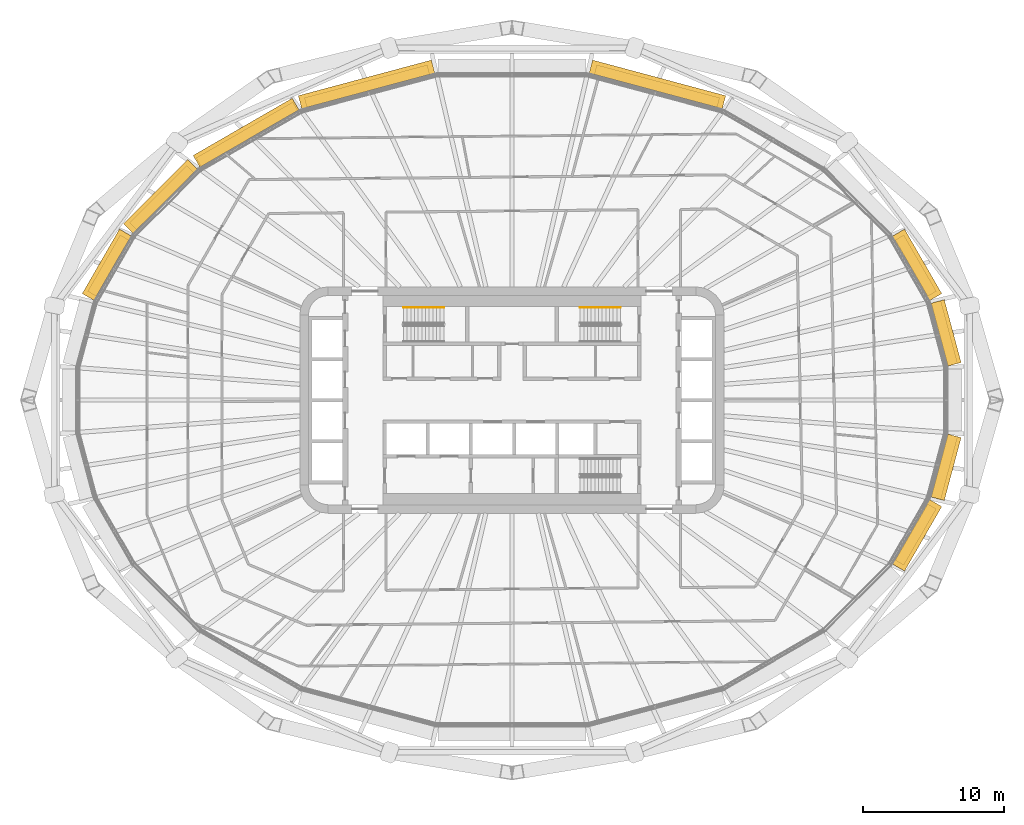
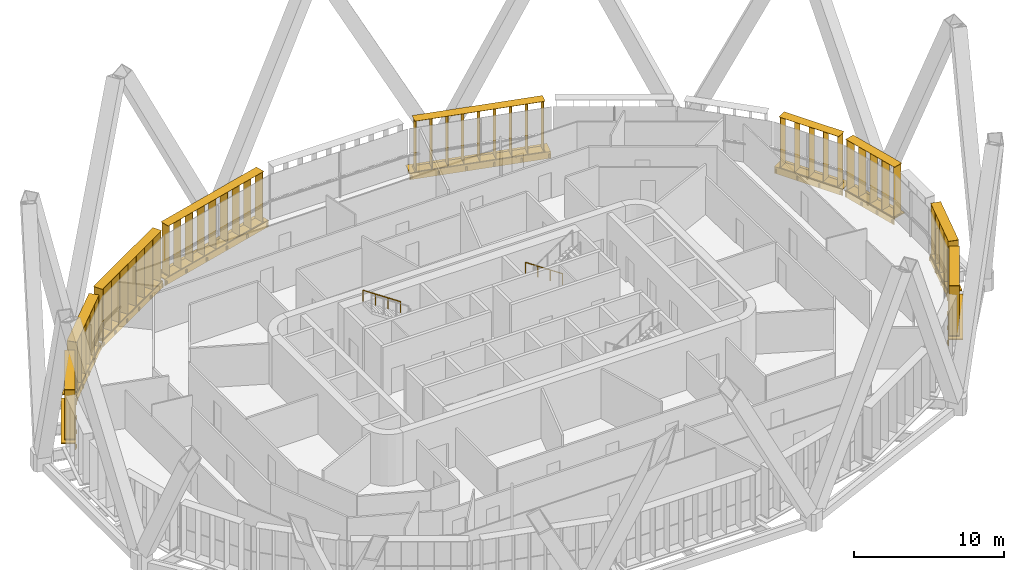
# One storey, part 24 of 25: 18 shading devices, 2 railings.
"""IFC4 building model written with IfcOpenShell, lengths in metres."""

import ifcopenshell
import ifcopenshell.guid

model = None  # the IFC model being written
_history = None  # IfcOwnerHistory: only IFC2X3 demands one
_inside = {}  # id of a spatial element -> (the spatial element, [elements in it])
_under = {}  # id of a project, library or spatial element -> (it, [spatial elements below it])
_declared = {}  # id of a project -> (the project, [libraries it declares])
_typed = {}  # id of a type object -> (the type object, [elements of that type])
_made_of = {}  # id of a material, layer set ... -> (it, [elements and type objects made of it])


def new_model(schema):
    """Start an empty IFC model of exactly this schema.

    Asked for "IFC4X3", IfcOpenShell would pick the latest addendum, in which some entities
    have other attributes; the version numbers below select the first issue.
    IFC2X3 requires an IfcOwnerHistory on every rooted entity: one is made here for all.
    """
    global model, _history
    if schema == "IFC4X3":
        model = ifcopenshell.file(schema_version=(4, 3, 0, 0))
    else:
        model = ifcopenshell.file(schema=schema)
    _inside.clear()
    _under.clear()
    _declared.clear()
    _typed.clear()
    _made_of.clear()
    _history = None
    if model.schema == "IFC2X3":
        org = make("IfcOrganization", Name="unknown")
        user = make(
            "IfcPersonAndOrganization",
            ThePerson=make("IfcPerson", FamilyName="unknown"),
            TheOrganization=org,
        )
        app = make(
            "IfcApplication",
            ApplicationDeveloper=org,
            Version="unknown",
            ApplicationFullName="unknown",
            ApplicationIdentifier="unknown",
        )
        _history = make(
            "IfcOwnerHistory",
            OwningUser=user,
            OwningApplication=app,
            ChangeAction="ADDED",
            CreationDate=0,
        )
    return model


def make(cls, **values):
    """One entity of the class cls with the attributes given. An attribute that is None is left unset."""
    return model.create_entity(
        cls, **{name: value for name, value in values.items() if value is not None}
    )


def rooted(cls, **values):
    """An entity with a GlobalId (a new one), such as an element, a storey or a relation."""
    return make(cls, GlobalId=ifcopenshell.guid.new(), OwnerHistory=_history, **values)


def si_unit(unit_type, name, prefix=None):
    """IfcSIUnit, for example si_unit("LENGTHUNIT", "METRE", prefix="MILLI")."""
    return make("IfcSIUnit", UnitType=unit_type, Prefix=prefix, Name=name)


def assignment(units):
    """IfcUnitAssignment: the units of a project."""
    return None if units is None else make("IfcUnitAssignment", Units=units)


def point(xyz):
    """IfcCartesianPoint."""
    return None if xyz is None else make("IfcCartesianPoint", Coordinates=xyz)


def direction(xyz):
    """IfcDirection."""
    return None if xyz is None else make("IfcDirection", DirectionRatios=xyz)


def frame(location, z_axis=None, x_axis=None):
    """IfcAxis2Placement3D, a coordinate frame: its origin and axes. An axis left out is left unset."""
    return make(
        "IfcAxis2Placement3D",
        Location=point(location),
        Axis=direction(z_axis),
        RefDirection=direction(x_axis),
    )


def frame_2d(location, x_axis=None):
    """IfcAxis2Placement2D, a coordinate frame in the plane: its origin and x axis."""
    return make(
        "IfcAxis2Placement2D", Location=point(location), RefDirection=direction(x_axis)
    )


def origin():
    """The frame at (0, 0, 0) with its axes left unset."""
    return frame((0.0, 0.0, 0.0))


def origin_2d():
    """The frame at (0, 0) in the plane with its x axis left unset."""
    return frame_2d((0.0, 0.0))


def place(relative_to, where):
    """IfcLocalPlacement: puts the frame where relative to a parent placement (None: the world)."""
    return make(
        "IfcLocalPlacement", PlacementRelTo=relative_to, RelativePlacement=where
    )


def context(
    kind, dimensions, precision=None, world=None, true_north=None, identifier=None
):
    """IfcGeometricRepresentationContext, for example the 3D "Model" context."""
    return make(
        "IfcGeometricRepresentationContext",
        ContextIdentifier=identifier,
        ContextType=kind,
        CoordinateSpaceDimension=dimensions,
        Precision=precision,
        WorldCoordinateSystem=world,
        TrueNorth=true_north,
    )


def subcontext(parent, identifier, kind, view, scale=None):
    """IfcGeometricRepresentationSubContext, for example "Body" below "Model"."""
    return make(
        "IfcGeometricRepresentationSubContext",
        ContextIdentifier=identifier,
        ContextType=kind,
        ParentContext=parent,
        TargetScale=scale,
        TargetView=view,
    )


def project(units=None, contexts=None):
    """IfcProject with its units and contexts."""
    return rooted(
        "IfcProject",
        Name="project",
        RepresentationContexts=contexts,
        UnitsInContext=assignment(units),
    )


def spatial(cls, under=None, at=None, **own):
    """A site, building, storey or space (cls), placed at a placement, below another one or the project."""
    s = rooted(cls, ObjectPlacement=at, **own)
    if under is not None:
        _under.setdefault(under.id(), (under, []))[1].append(s)
    return s


def profile(cls, at=None, kind="AREA", **sizes):
    """A parametric profile (cls). Its sizes go by their IFC names, for example OverallWidth=200.0."""
    return make(cls, ProfileType=kind, Position=at, **sizes)


def rectangle(**sizes):
    """IfcRectangleProfileDef."""
    return profile("IfcRectangleProfileDef", **sizes)


def circle(**sizes):
    """IfcCircleProfileDef."""
    return profile("IfcCircleProfileDef", **sizes)


def extrude(swept, where, along, depth):
    """IfcExtrudedAreaSolid: the profile swept, set in the frame where, extruded along a direction by depth."""
    return make(
        "IfcExtrudedAreaSolid",
        SweptArea=swept,
        Position=where,
        ExtrudedDirection=direction(along),
        Depth=depth,
    )


def shape(context_of_items, identifier, shape_type, items):
    """IfcShapeRepresentation: the items that make up one representation, for example the "Body"."""
    return make(
        "IfcShapeRepresentation",
        ContextOfItems=context_of_items,
        RepresentationIdentifier=identifier,
        RepresentationType=shape_type,
        Items=items,
    )


def material(Name=None, Category=None):
    """IfcMaterial."""
    return make("IfcMaterial", Name=Name, Category=Category)


def made_of(thing, what):
    """Note that an element or type object is made of a material, layer set ...; save() writes the relation."""
    if what is not None:
        _made_of.setdefault(what.id(), (what, []))[1].append(thing)
    return thing


def type_object(cls, material=None, **own):
    """A type object (cls), such as IfcWallType, which elements share."""
    return made_of(rooted(cls, **own), material)


def element(
    cls,
    number,
    at=None,
    inside=None,
    cuts=None,
    type_object=None,
    material=None,
    context=None,
    identifier="Body",
    shape_type=None,
    held_by="IfcProductDefinitionShape",
    body=None,
    shapes=None,
    **own,
):
    """One element of the class cls, such as IfcWall. Its Tag is "e" and its number.

    at: its placement. inside: the storey or other place that contains it. cuts: it is an
    opening in that element (IfcRelVoidsElement). A single representation is given by context,
    identifier, shape_type and body (its items); several are given by shapes. held_by: the class
    of the entity that holds the representations. save() writes the other relations.
    """
    e = rooted(cls, Tag="e%d" % number, ObjectPlacement=at, **own)
    if body is not None:
        shapes = [shape(context, identifier, shape_type, body)]
    if shapes is not None:
        e.Representation = make(held_by, Representations=shapes)
    if inside is not None:
        _inside.setdefault(inside.id(), (inside, []))[1].append(e)
    if cuts is not None:
        rooted(
            "IfcRelVoidsElement", RelatingBuildingElement=cuts, RelatedOpeningElement=e
        )
    if type_object is not None:
        _typed.setdefault(type_object.id(), (type_object, []))[1].append(e)
    return made_of(e, material)


def aggregate(whole, parts):
    """IfcRelAggregates: a whole, such as a stair, and the parts it consists of."""
    return rooted("IfcRelAggregates", RelatingObject=whole, RelatedObjects=parts)


def save(model, path):
    """Write the relations noted so far, then the file.

    IfcRelAggregates (storeys below a building ...), IfcRelContainedInSpatialStructure (elements
    in a storey), IfcRelDefinesByType, IfcRelAssociatesMaterial and IfcRelDeclares: one each for
    every whole, place, type object, material and project.
    """
    for whole, parts in _under.values():
        aggregate(whole, parts)
    for where, things in _inside.values():
        rooted(
            "IfcRelContainedInSpatialStructure",
            RelatedElements=things,
            RelatingStructure=where,
        )
    for kind, things in _typed.values():
        rooted("IfcRelDefinesByType", RelatedObjects=things, RelatingType=kind)
    for what, things in _made_of.values():
        rooted("IfcRelAssociatesMaterial", RelatedObjects=things, RelatingMaterial=what)
    for by, libraries in _declared.values():
        rooted("IfcRelDeclares", RelatingContext=by, RelatedDefinitions=libraries)
    model.write(path)


model = new_model("IFC4")

# Units and contexts
model_context = context("Model", 3, precision=1e-05, world=origin(), true_north=direction((0.0, 1.0)))
body_context = subcontext(model_context, "Body", "Model", "MODEL_VIEW")
ifc_project = project(units=[si_unit("LENGTHUNIT", "METRE"), si_unit("AREAUNIT", "SQUARE_METRE"), si_unit("VOLUMEUNIT", "CUBIC_METRE"), si_unit("PLANEANGLEUNIT", "RADIAN"), si_unit("MASSUNIT", "GRAM", prefix="KILO")], contexts=[model_context])

# Site, building, storey
site_placement = place(None, origin())
site = spatial("IfcSite", under=ifc_project, at=site_placement, CompositionType="ELEMENT")
building_placement = place(site_placement, origin())
building = spatial("IfcBuilding", under=site, at=building_placement, Name="Sahrelin Media Tower", CompositionType="ELEMENT")
storey_placement = place(building_placement, frame((0.0, 0.0, 63.0)))
storey = spatial("IfcBuildingStorey", under=building, at=storey_placement, Name="L10", CompositionType="ELEMENT", Elevation=63.0)

# Shading devices
ifc_material_1 = material(Name="Champagne anodised aluminium 6063-T6", Category="aluminium")
shading_device_type_1 = type_object("IfcShadingDeviceType", Name="Fin cassette", PredefinedType="USERDEFINED", material=ifc_material_1)
placement_1 = place(storey_placement, frame((30.169189453125, 4.612548828125, 0.0), z_axis=(0.0, 0.0, 1.0), x_axis=(0.258807731996, -0.965928857556, 0.0)))
element("IfcShadingDevice", 1, at=placement_1, inside=storey, type_object=shading_device_type_1, Name="L10:FIN:L10-01", ObjectType="FIN", PredefinedType="USERDEFINED", context=body_context, shape_type="SweptSolid", body=[
    extrude(rectangle(XDim=4.60009765625, YDim=0.699951171875, at=origin_2d()), frame((0.0, 0.419921875, 0.0)), (0.0, 0.0, 1.0), 0.02001953125),
    extrude(rectangle(XDim=4.60009765625, YDim=0.699951171875, at=origin_2d()), frame((0.0, 0.419921875, 4.10009765625)), (0.0, 0.0, 1.0), 0.02001953125),
    extrude(rectangle(XDim=0.02001953125, YDim=0.699951171875, at=origin_2d()), frame((-2.199951171875, 0.419921875, 0.010009765625), z_axis=(0.0, 0.0, 1.0), x_axis=(1.0, 0.0, 0.0)), (0.0, 0.0, 1.0), 4.10009765625),
    extrude(rectangle(XDim=0.02001953125, YDim=0.699951171875, at=origin_2d()), frame((-1.10009765625, 0.419921875, 0.010009765625), z_axis=(0.0, 0.0, 1.0), x_axis=(1.0, 0.0, 0.0)), (0.0, 0.0, 1.0), 4.10009765625),
    extrude(rectangle(XDim=0.02001953125, YDim=0.699951171875, at=origin_2d()), frame((0.0, 0.419921875, 0.010009765625), z_axis=(0.0, 0.0, 1.0), x_axis=(1.0, 0.0, 0.0)), (0.0, 0.0, 1.0), 4.10009765625),
    extrude(rectangle(XDim=0.02001953125, YDim=0.699951171875, at=origin_2d()), frame((1.10009765625, 0.419921875, 0.010009765625), z_axis=(0.0, 0.0, 1.0), x_axis=(1.0, 0.0, 0.0)), (0.0, 0.0, 1.0), 4.10009765625),
    extrude(rectangle(XDim=0.02001953125, YDim=0.699951171875, at=origin_2d()), frame((2.199951171875, 0.419921875, 0.010009765625), z_axis=(0.0, 0.0, 1.0), x_axis=(1.0, 0.0, 0.0)), (0.0, 0.0, 1.0), 4.10009765625),
])
placement_2 = place(storey_placement, frame((28.181884765625, 9.296630859375, 0.0), z_axis=(0.0, 0.0, 1.0), x_axis=(0.500011000363, -0.866019052629, 0.0)))
element("IfcShadingDevice", 2, at=placement_2, inside=storey, type_object=shading_device_type_1, Name="L10:FIN:L10-02", ObjectType="FIN", PredefinedType="USERDEFINED", context=body_context, shape_type="SweptSolid", body=[
    extrude(rectangle(XDim=4.60009765625, YDim=0.699951171875, at=origin_2d()), frame((0.0, 0.419921875, 0.0)), (0.0, 0.0, 1.0), 0.02001953125),
    extrude(rectangle(XDim=4.60009765625, YDim=0.699951171875, at=origin_2d()), frame((0.0, 0.419921875, 4.10009765625)), (0.0, 0.0, 1.0), 0.02001953125),
    extrude(rectangle(XDim=0.02001953125, YDim=0.699951171875, at=origin_2d()), frame((-2.199951171875, 0.419921875, 0.010009765625), z_axis=(0.0, 0.0, 1.0), x_axis=(1.0, 0.0, 0.0)), (0.0, 0.0, 1.0), 4.10009765625),
    extrude(rectangle(XDim=0.02001953125, YDim=0.699951171875, at=origin_2d()), frame((-1.10009765625, 0.419921875, 0.010009765625), z_axis=(0.0, 0.0, 1.0), x_axis=(1.0, 0.0, 0.0)), (0.0, 0.0, 1.0), 4.10009765625),
    extrude(rectangle(XDim=0.02001953125, YDim=0.699951171875, at=origin_2d()), frame((0.0, 0.419921875, 0.010009765625), z_axis=(0.0, 0.0, 1.0), x_axis=(1.0, 0.0, 0.0)), (0.0, 0.0, 1.0), 4.10009765625),
    extrude(rectangle(XDim=0.02001953125, YDim=0.699951171875, at=origin_2d()), frame((1.10009765625, 0.419921875, 0.010009765625), z_axis=(0.0, 0.0, 1.0), x_axis=(1.0, 0.0, 0.0)), (0.0, 0.0, 1.0), 4.10009765625),
    extrude(rectangle(XDim=0.02001953125, YDim=0.699951171875, at=origin_2d()), frame((2.199951171875, 0.419921875, 0.010009765625), z_axis=(0.0, 0.0, 1.0), x_axis=(1.0, 0.0, 0.0)), (0.0, 0.0, 1.0), 4.10009765625),
])
placement_3 = place(storey_placement, frame((10.139404296875, 21.791015625, 0.0), z_axis=(0.0, 0.0, 1.0), x_axis=(0.965928857556, -0.258807731996, 0.0)))
element("IfcShadingDevice", 3, at=placement_3, inside=storey, type_object=shading_device_type_1, Name="L10:FIN:L10-05", ObjectType="FIN", PredefinedType="USERDEFINED", context=body_context, shape_type="SweptSolid", body=[
    extrude(rectangle(XDim=9.0, YDim=0.699951171875, at=origin_2d()), frame((0.0, 0.419921875, 0.0)), (0.0, 0.0, 1.0), 0.02001953125),
    extrude(rectangle(XDim=9.0, YDim=0.699951171875, at=origin_2d()), frame((0.0, 0.419921875, 4.10009765625)), (0.0, 0.0, 1.0), 0.02001953125),
    extrude(rectangle(XDim=0.02001953125, YDim=0.699951171875, at=origin_2d()), frame((-4.39990234375, 0.419921875, 0.010009765625), z_axis=(0.0, 0.0, 1.0), x_axis=(1.0, 0.0, 0.0)), (0.0, 0.0, 1.0), 4.10009765625),
    extrude(rectangle(XDim=0.02001953125, YDim=0.699951171875, at=origin_2d()), frame((-3.300048828125, 0.419921875, 0.010009765625), z_axis=(0.0, 0.0, 1.0), x_axis=(1.0, 0.0, 0.0)), (0.0, 0.0, 1.0), 4.10009765625),
    extrude(rectangle(XDim=0.02001953125, YDim=0.699951171875, at=origin_2d()), frame((-2.199951171875, 0.419921875, 0.010009765625), z_axis=(0.0, 0.0, 1.0), x_axis=(1.0, 0.0, 0.0)), (0.0, 0.0, 1.0), 4.10009765625),
    extrude(rectangle(XDim=0.02001953125, YDim=0.699951171875, at=origin_2d()), frame((-1.10009765625, 0.419921875, 0.010009765625), z_axis=(0.0, 0.0, 1.0), x_axis=(1.0, 0.0, 0.0)), (0.0, 0.0, 1.0), 4.10009765625),
    extrude(rectangle(XDim=0.02001953125, YDim=0.699951171875, at=origin_2d()), frame((0.0, 0.419921875, 0.010009765625), z_axis=(0.0, 0.0, 1.0), x_axis=(1.0, 0.0, 0.0)), (0.0, 0.0, 1.0), 4.10009765625),
    extrude(rectangle(XDim=0.02001953125, YDim=0.699951171875, at=origin_2d()), frame((1.10009765625, 0.419921875, 0.010009765625), z_axis=(0.0, 0.0, 1.0), x_axis=(1.0, 0.0, 0.0)), (0.0, 0.0, 1.0), 4.10009765625),
    extrude(rectangle(XDim=0.02001953125, YDim=0.699951171875, at=origin_2d()), frame((2.199951171875, 0.419921875, 0.010009765625), z_axis=(0.0, 0.0, 1.0), x_axis=(1.0, 0.0, 0.0)), (0.0, 0.0, 1.0), 4.10009765625),
    extrude(rectangle(XDim=0.02001953125, YDim=0.699951171875, at=origin_2d()), frame((3.300048828125, 0.419921875, 0.010009765625), z_axis=(0.0, 0.0, 1.0), x_axis=(1.0, 0.0, 0.0)), (0.0, 0.0, 1.0), 4.10009765625),
    extrude(rectangle(XDim=0.02001953125, YDim=0.699951171875, at=origin_2d()), frame((4.39990234375, 0.419921875, 0.010009765625), z_axis=(0.0, 0.0, 1.0), x_axis=(1.0, 0.0, 0.0)), (0.0, 0.0, 1.0), 4.10009765625),
])
placement_4 = place(storey_placement, frame((-10.139404296875, 21.791015625, 0.0), z_axis=(0.0, 0.0, 1.0), x_axis=(0.965928857556, 0.258807731996, 0.0)))
element("IfcShadingDevice", 4, at=placement_4, inside=storey, type_object=shading_device_type_1, Name="L10:FIN:L10-07", ObjectType="FIN", PredefinedType="USERDEFINED", context=body_context, shape_type="SweptSolid", body=[
    extrude(rectangle(XDim=9.0, YDim=0.699951171875, at=origin_2d()), frame((0.0, 0.419921875, 0.0)), (0.0, 0.0, 1.0), 0.02001953125),
    extrude(rectangle(XDim=9.0, YDim=0.699951171875, at=origin_2d()), frame((0.0, 0.419921875, 4.10009765625)), (0.0, 0.0, 1.0), 0.02001953125),
    extrude(rectangle(XDim=0.02001953125, YDim=0.699951171875, at=origin_2d()), frame((-4.39990234375, 0.419921875, 0.010009765625), z_axis=(0.0, 0.0, 1.0), x_axis=(1.0, 0.0, 0.0)), (0.0, 0.0, 1.0), 4.10009765625),
    extrude(rectangle(XDim=0.02001953125, YDim=0.699951171875, at=origin_2d()), frame((-3.300048828125, 0.419921875, 0.010009765625), z_axis=(0.0, 0.0, 1.0), x_axis=(1.0, 0.0, 0.0)), (0.0, 0.0, 1.0), 4.10009765625),
    extrude(rectangle(XDim=0.02001953125, YDim=0.699951171875, at=origin_2d()), frame((-2.199951171875, 0.419921875, 0.010009765625), z_axis=(0.0, 0.0, 1.0), x_axis=(1.0, 0.0, 0.0)), (0.0, 0.0, 1.0), 4.10009765625),
    extrude(rectangle(XDim=0.02001953125, YDim=0.699951171875, at=origin_2d()), frame((-1.10009765625, 0.419921875, 0.010009765625), z_axis=(0.0, 0.0, 1.0), x_axis=(1.0, 0.0, 0.0)), (0.0, 0.0, 1.0), 4.10009765625),
    extrude(rectangle(XDim=0.02001953125, YDim=0.699951171875, at=origin_2d()), frame((0.0, 0.419921875, 0.010009765625), z_axis=(0.0, 0.0, 1.0), x_axis=(1.0, 0.0, 0.0)), (0.0, 0.0, 1.0), 4.10009765625),
    extrude(rectangle(XDim=0.02001953125, YDim=0.699951171875, at=origin_2d()), frame((1.10009765625, 0.419921875, 0.010009765625), z_axis=(0.0, 0.0, 1.0), x_axis=(1.0, 0.0, 0.0)), (0.0, 0.0, 1.0), 4.10009765625),
    extrude(rectangle(XDim=0.02001953125, YDim=0.699951171875, at=origin_2d()), frame((2.199951171875, 0.419921875, 0.010009765625), z_axis=(0.0, 0.0, 1.0), x_axis=(1.0, 0.0, 0.0)), (0.0, 0.0, 1.0), 4.10009765625),
    extrude(rectangle(XDim=0.02001953125, YDim=0.699951171875, at=origin_2d()), frame((3.300048828125, 0.419921875, 0.010009765625), z_axis=(0.0, 0.0, 1.0), x_axis=(1.0, 0.0, 0.0)), (0.0, 0.0, 1.0), 4.10009765625),
    extrude(rectangle(XDim=0.02001953125, YDim=0.699951171875, at=origin_2d()), frame((4.39990234375, 0.419921875, 0.010009765625), z_axis=(0.0, 0.0, 1.0), x_axis=(1.0, 0.0, 0.0)), (0.0, 0.0, 1.0), 4.10009765625),
])
placement_5 = place(storey_placement, frame((-18.529296875, 18.4326171875, 0.0), z_axis=(0.0, 0.0, 1.0), x_axis=(0.866019052629, 0.500011000363, 0.0)))
element("IfcShadingDevice", 5, at=placement_5, inside=storey, type_object=shading_device_type_1, Name="L10:FIN:L10-08", ObjectType="FIN", PredefinedType="USERDEFINED", context=body_context, shape_type="SweptSolid", body=[
    extrude(rectangle(XDim=7.89990234375, YDim=0.699951171875, at=origin_2d()), frame((0.0, 0.419921875, 0.0)), (0.0, 0.0, 1.0), 0.02001953125),
    extrude(rectangle(XDim=7.89990234375, YDim=0.699951171875, at=origin_2d()), frame((0.0, 0.419921875, 4.10009765625)), (0.0, 0.0, 1.0), 0.02001953125),
    extrude(rectangle(XDim=0.02001953125, YDim=0.699951171875, at=origin_2d()), frame((-3.85009765625, 0.419921875, 0.010009765625), z_axis=(0.0, 0.0, 1.0), x_axis=(1.0, 0.0, 0.0)), (0.0, 0.0, 1.0), 4.10009765625),
    extrude(rectangle(XDim=0.02001953125, YDim=0.699951171875, at=origin_2d()), frame((-2.75, 0.419921875, 0.010009765625), z_axis=(0.0, 0.0, 1.0), x_axis=(1.0, 0.0, 0.0)), (0.0, 0.0, 1.0), 4.10009765625),
    extrude(rectangle(XDim=0.02001953125, YDim=0.699951171875, at=origin_2d()), frame((-1.64990234375, 0.419921875, 0.010009765625), z_axis=(0.0, 0.0, 1.0), x_axis=(1.0, 0.0, 0.0)), (0.0, 0.0, 1.0), 4.10009765625),
    extrude(rectangle(XDim=0.02001953125, YDim=0.699951171875, at=origin_2d()), frame((-0.550048828125, 0.419921875, 0.010009765625), z_axis=(0.0, 0.0, 1.0), x_axis=(1.0, 0.0, 0.0)), (0.0, 0.0, 1.0), 4.10009765625),
    extrude(rectangle(XDim=0.02001953125, YDim=0.699951171875, at=origin_2d()), frame((0.550048828125, 0.419921875, 0.010009765625), z_axis=(0.0, 0.0, 1.0), x_axis=(1.0, 0.0, 0.0)), (0.0, 0.0, 1.0), 4.10009765625),
    extrude(rectangle(XDim=0.02001953125, YDim=0.699951171875, at=origin_2d()), frame((1.64990234375, 0.419921875, 0.010009765625), z_axis=(0.0, 0.0, 1.0), x_axis=(1.0, 0.0, 0.0)), (0.0, 0.0, 1.0), 4.10009765625),
    extrude(rectangle(XDim=0.02001953125, YDim=0.699951171875, at=origin_2d()), frame((2.75, 0.419921875, 0.010009765625), z_axis=(0.0, 0.0, 1.0), x_axis=(1.0, 0.0, 0.0)), (0.0, 0.0, 1.0), 4.10009765625),
    extrude(rectangle(XDim=0.02001953125, YDim=0.699951171875, at=origin_2d()), frame((3.85009765625, 0.419921875, 0.010009765625), z_axis=(0.0, 0.0, 1.0), x_axis=(1.0, 0.0, 0.0)), (0.0, 0.0, 1.0), 4.10009765625),
])
placement_6 = place(storey_placement, frame((-24.46728515625, 14.011474609375, 0.0), z_axis=(0.0, 0.0, 1.0), x_axis=(0.707106781187, 0.707106781187, 0.0)))
element("IfcShadingDevice", 6, at=placement_6, inside=storey, type_object=shading_device_type_1, Name="L10:FIN:L10-09", ObjectType="FIN", PredefinedType="USERDEFINED", context=body_context, shape_type="SweptSolid", body=[
    extrude(rectangle(XDim=5.699951171875, YDim=0.699951171875, at=origin_2d()), frame((0.0, 0.419921875, 0.0)), (0.0, 0.0, 1.0), 0.02001953125),
    extrude(rectangle(XDim=5.699951171875, YDim=0.699951171875, at=origin_2d()), frame((0.0, 0.419921875, 4.10009765625)), (0.0, 0.0, 1.0), 0.02001953125),
    extrude(rectangle(XDim=0.02001953125, YDim=0.699951171875, at=origin_2d()), frame((-2.75, 0.419921875, 0.010009765625), z_axis=(0.0, 0.0, 1.0), x_axis=(1.0, 0.0, 0.0)), (0.0, 0.0, 1.0), 4.10009765625),
    extrude(rectangle(XDim=0.02001953125, YDim=0.699951171875, at=origin_2d()), frame((-1.64990234375, 0.419921875, 0.010009765625), z_axis=(0.0, 0.0, 1.0), x_axis=(1.0, 0.0, 0.0)), (0.0, 0.0, 1.0), 4.10009765625),
    extrude(rectangle(XDim=0.02001953125, YDim=0.699951171875, at=origin_2d()), frame((-0.550048828125, 0.419921875, 0.010009765625), z_axis=(0.0, 0.0, 1.0), x_axis=(1.0, 0.0, 0.0)), (0.0, 0.0, 1.0), 4.10009765625),
    extrude(rectangle(XDim=0.02001953125, YDim=0.699951171875, at=origin_2d()), frame((0.550048828125, 0.419921875, 0.010009765625), z_axis=(0.0, 0.0, 1.0), x_axis=(1.0, 0.0, 0.0)), (0.0, 0.0, 1.0), 4.10009765625),
    extrude(rectangle(XDim=0.02001953125, YDim=0.699951171875, at=origin_2d()), frame((1.64990234375, 0.419921875, 0.010009765625), z_axis=(0.0, 0.0, 1.0), x_axis=(1.0, 0.0, 0.0)), (0.0, 0.0, 1.0), 4.10009765625),
    extrude(rectangle(XDim=0.02001953125, YDim=0.699951171875, at=origin_2d()), frame((2.75, 0.419921875, 0.010009765625), z_axis=(0.0, 0.0, 1.0), x_axis=(1.0, 0.0, 0.0)), (0.0, 0.0, 1.0), 4.10009765625),
])
placement_7 = place(storey_placement, frame((-28.181884765625, 9.296630859375, 0.0), z_axis=(0.0, 0.0, 1.0), x_axis=(0.500011000363, 0.866019052629, 0.0)))
element("IfcShadingDevice", 7, at=placement_7, inside=storey, type_object=shading_device_type_1, Name="L10:FIN:L10-10", ObjectType="FIN", PredefinedType="USERDEFINED", context=body_context, shape_type="SweptSolid", body=[
    extrude(rectangle(XDim=4.60009765625, YDim=0.699951171875, at=origin_2d()), frame((0.0, 0.419921875, 0.0)), (0.0, 0.0, 1.0), 0.02001953125),
    extrude(rectangle(XDim=4.60009765625, YDim=0.699951171875, at=origin_2d()), frame((0.0, 0.419921875, 4.10009765625)), (0.0, 0.0, 1.0), 0.02001953125),
    extrude(rectangle(XDim=0.02001953125, YDim=0.699951171875, at=origin_2d()), frame((-2.199951171875, 0.419921875, 0.010009765625), z_axis=(0.0, 0.0, 1.0), x_axis=(1.0, 0.0, 0.0)), (0.0, 0.0, 1.0), 4.10009765625),
    extrude(rectangle(XDim=0.02001953125, YDim=0.699951171875, at=origin_2d()), frame((-1.10009765625, 0.419921875, 0.010009765625), z_axis=(0.0, 0.0, 1.0), x_axis=(1.0, 0.0, 0.0)), (0.0, 0.0, 1.0), 4.10009765625),
    extrude(rectangle(XDim=0.02001953125, YDim=0.699951171875, at=origin_2d()), frame((0.0, 0.419921875, 0.010009765625), z_axis=(0.0, 0.0, 1.0), x_axis=(1.0, 0.0, 0.0)), (0.0, 0.0, 1.0), 4.10009765625),
    extrude(rectangle(XDim=0.02001953125, YDim=0.699951171875, at=origin_2d()), frame((1.10009765625, 0.419921875, 0.010009765625), z_axis=(0.0, 0.0, 1.0), x_axis=(1.0, 0.0, 0.0)), (0.0, 0.0, 1.0), 4.10009765625),
    extrude(rectangle(XDim=0.02001953125, YDim=0.699951171875, at=origin_2d()), frame((2.199951171875, 0.419921875, 0.010009765625), z_axis=(0.0, 0.0, 1.0), x_axis=(1.0, 0.0, 0.0)), (0.0, 0.0, 1.0), 4.10009765625),
])
placement_8 = place(storey_placement, frame((28.181884765625, -9.296630859375, 0.0), z_axis=(0.0, 0.0, 1.0), x_axis=(-0.500011000363, -0.866019052629, 0.0)))
element("IfcShadingDevice", 8, at=placement_8, inside=storey, type_object=shading_device_type_1, Name="L10:FIN:L10-22", ObjectType="FIN", PredefinedType="USERDEFINED", context=body_context, shape_type="SweptSolid", body=[
    extrude(rectangle(XDim=4.60009765625, YDim=0.699951171875, at=origin_2d()), frame((0.0, 0.419921875, 0.0)), (0.0, 0.0, 1.0), 0.02001953125),
    extrude(rectangle(XDim=4.60009765625, YDim=0.699951171875, at=origin_2d()), frame((0.0, 0.419921875, 4.10009765625)), (0.0, 0.0, 1.0), 0.02001953125),
    extrude(rectangle(XDim=0.02001953125, YDim=0.699951171875, at=origin_2d()), frame((-2.199951171875, 0.419921875, 0.010009765625), z_axis=(0.0, 0.0, 1.0), x_axis=(1.0, 0.0, 0.0)), (0.0, 0.0, 1.0), 4.10009765625),
    extrude(rectangle(XDim=0.02001953125, YDim=0.699951171875, at=origin_2d()), frame((-1.10009765625, 0.419921875, 0.010009765625), z_axis=(0.0, 0.0, 1.0), x_axis=(1.0, 0.0, 0.0)), (0.0, 0.0, 1.0), 4.10009765625),
    extrude(rectangle(XDim=0.02001953125, YDim=0.699951171875, at=origin_2d()), frame((0.0, 0.419921875, 0.010009765625), z_axis=(0.0, 0.0, 1.0), x_axis=(1.0, 0.0, 0.0)), (0.0, 0.0, 1.0), 4.10009765625),
    extrude(rectangle(XDim=0.02001953125, YDim=0.699951171875, at=origin_2d()), frame((1.10009765625, 0.419921875, 0.010009765625), z_axis=(0.0, 0.0, 1.0), x_axis=(1.0, 0.0, 0.0)), (0.0, 0.0, 1.0), 4.10009765625),
    extrude(rectangle(XDim=0.02001953125, YDim=0.699951171875, at=origin_2d()), frame((2.199951171875, 0.419921875, 0.010009765625), z_axis=(0.0, 0.0, 1.0), x_axis=(1.0, 0.0, 0.0)), (0.0, 0.0, 1.0), 4.10009765625),
])
placement_9 = place(storey_placement, frame((30.169189453125, -4.612548828125, 0.0), z_axis=(0.0, 0.0, 1.0), x_axis=(-0.258807731996, -0.965928857556, 0.0)))
element("IfcShadingDevice", 9, at=placement_9, inside=storey, type_object=shading_device_type_1, Name="L10:FIN:L10-23", ObjectType="FIN", PredefinedType="USERDEFINED", context=body_context, shape_type="SweptSolid", body=[
    extrude(rectangle(XDim=4.60009765625, YDim=0.699951171875, at=origin_2d()), frame((0.0, 0.419921875, 0.0)), (0.0, 0.0, 1.0), 0.02001953125),
    extrude(rectangle(XDim=4.60009765625, YDim=0.699951171875, at=origin_2d()), frame((0.0, 0.419921875, 4.10009765625)), (0.0, 0.0, 1.0), 0.02001953125),
    extrude(rectangle(XDim=0.02001953125, YDim=0.699951171875, at=origin_2d()), frame((-2.199951171875, 0.419921875, 0.010009765625), z_axis=(0.0, 0.0, 1.0), x_axis=(1.0, 0.0, 0.0)), (0.0, 0.0, 1.0), 4.10009765625),
    extrude(rectangle(XDim=0.02001953125, YDim=0.699951171875, at=origin_2d()), frame((-1.10009765625, 0.419921875, 0.010009765625), z_axis=(0.0, 0.0, 1.0), x_axis=(1.0, 0.0, 0.0)), (0.0, 0.0, 1.0), 4.10009765625),
    extrude(rectangle(XDim=0.02001953125, YDim=0.699951171875, at=origin_2d()), frame((0.0, 0.419921875, 0.010009765625), z_axis=(0.0, 0.0, 1.0), x_axis=(1.0, 0.0, 0.0)), (0.0, 0.0, 1.0), 4.10009765625),
    extrude(rectangle(XDim=0.02001953125, YDim=0.699951171875, at=origin_2d()), frame((1.10009765625, 0.419921875, 0.010009765625), z_axis=(0.0, 0.0, 1.0), x_axis=(1.0, 0.0, 0.0)), (0.0, 0.0, 1.0), 4.10009765625),
    extrude(rectangle(XDim=0.02001953125, YDim=0.699951171875, at=origin_2d()), frame((2.199951171875, 0.419921875, 0.010009765625), z_axis=(0.0, 0.0, 1.0), x_axis=(1.0, 0.0, 0.0)), (0.0, 0.0, 1.0), 4.10009765625),
])

# Railings
ifc_material_2 = material(Name="Steel S355", Category="steel")
railing_type = type_object("IfcRailingType", Name="Stair handrail 900", PredefinedType="HANDRAIL", material=ifc_material_2)
for number, where, name in (
    (10, (-4.81494140625, 6.550048828125, 2.27490234375), "L10 ST1 stair handrail 2"),
    (11, (7.675048828125, 6.550048828125, 0.175048828125), "L10 ST3 stair handrail 1"),
):
    element("IfcRailing", number, at=place(storey_placement, frame(where)), inside=storey, type_object=railing_type, Name=name, PredefinedType="HANDRAIL", context=body_context, shape_type="SweptSolid", body=[
        extrude(circle(Radius=0.02392578125, at=origin_2d()), frame((0.0, 0.0, 0.8759765625), z_axis=(-0.829590901723, 0.0, 0.558371682465), x_axis=(0.0, -1.0, 0.0)), (0.0, 0.0, 1.0), 3.447509765625),
        extrude(circle(Radius=0.02099609375, at=origin_2d()), origin(), (0.0, 0.0, 1.0), 0.851806640625),
        extrude(circle(Radius=0.02099609375, at=origin_2d()), frame((-0.953369140625, 0.0, 0.6416015625)), (0.0, 0.0, 1.0), 0.851806640625),
        extrude(circle(Radius=0.02099609375, at=origin_2d()), frame((-1.90673828125, 0.0, 1.283447265625)), (0.0, 0.0, 1.0), 0.851806640625),
        extrude(circle(Radius=0.02099609375, at=origin_2d()), frame((-2.860107421875, 0.0, 1.925048828125)), (0.0, 0.0, 1.0), 0.851806640625),
    ])

# Shading devices
shading_device_type_2 = type_object("IfcShadingDeviceType", Name="Sunshade band", PredefinedType="USERDEFINED", material=ifc_material_1)
element("IfcShadingDevice", 12, at=placement_1, inside=storey, type_object=shading_device_type_2, Name="L10:SUN:L10-01", ObjectType="SUNSHADE", PredefinedType="USERDEFINED", context=body_context, shape_type="SweptSolid", body=[
    extrude(rectangle(XDim=4.599853515625, YDim=0.050048828125, at=origin_2d()), frame((0.0, 0.044921875, -0.55126953125)), (0.0, 0.0, 1.0), 0.471435546875),
    extrude(rectangle(XDim=4.599853515625, YDim=1.0, at=origin_2d()), frame((0.0, 0.52001953125, -0.080078125)), (0.0, 0.0, 1.0), 0.080078125),
    extrude(rectangle(XDim=0.10009765625, YDim=0.074951171875, at=origin_2d()), frame((-2.199951171875, -0.017578125, -0.47021484375)), (0.0, 0.0, 1.0), 0.300048828125),
    extrude(rectangle(XDim=0.10009765625, YDim=0.074951171875, at=origin_2d()), frame((-0.7333984375, -0.017578125, -0.47021484375)), (0.0, 0.0, 1.0), 0.300048828125),
    extrude(rectangle(XDim=0.10009765625, YDim=0.074951171875, at=origin_2d()), frame((0.7333984375, -0.017578125, -0.47021484375)), (0.0, 0.0, 1.0), 0.300048828125),
    extrude(rectangle(XDim=0.10009765625, YDim=0.074951171875, at=origin_2d()), frame((2.199951171875, -0.017578125, -0.47021484375)), (0.0, 0.0, 1.0), 0.300048828125),
])
element("IfcShadingDevice", 13, at=placement_2, inside=storey, type_object=shading_device_type_2, Name="L10:SUN:L10-02", ObjectType="SUNSHADE", PredefinedType="USERDEFINED", context=body_context, shape_type="SweptSolid", body=[
    extrude(rectangle(XDim=5.263916015625, YDim=0.050048828125, at=origin_2d()), frame((0.0, 0.044921875, -0.55126953125)), (0.0, 0.0, 1.0), 0.471435546875),
    extrude(rectangle(XDim=5.263916015625, YDim=1.0, at=origin_2d()), frame((0.0, 0.52001953125, -0.080078125)), (0.0, 0.0, 1.0), 0.080078125),
    extrude(rectangle(XDim=0.10009765625, YDim=0.074951171875, at=origin_2d()), frame((-2.531982421875, -0.017578125, -0.47021484375)), (0.0, 0.0, 1.0), 0.300048828125),
    extrude(rectangle(XDim=0.10009765625, YDim=0.074951171875, at=origin_2d()), frame((-0.843994140625, -0.017578125, -0.47021484375)), (0.0, 0.0, 1.0), 0.300048828125),
    extrude(rectangle(XDim=0.10009765625, YDim=0.074951171875, at=origin_2d()), frame((0.843994140625, -0.017578125, -0.47021484375)), (0.0, 0.0, 1.0), 0.300048828125),
    extrude(rectangle(XDim=0.10009765625, YDim=0.074951171875, at=origin_2d()), frame((2.531982421875, -0.017578125, -0.47021484375)), (0.0, 0.0, 1.0), 0.300048828125),
])
element("IfcShadingDevice", 14, at=placement_3, inside=storey, type_object=shading_device_type_2, Name="L10:SUN:L10-05", ObjectType="SUNSHADE", PredefinedType="USERDEFINED", context=body_context, shape_type="SweptSolid", body=[
    extrude(rectangle(XDim=9.74072265625, YDim=0.050048828125, at=origin_2d()), frame((0.0, 0.044921875, -0.55126953125)), (0.0, 0.0, 1.0), 0.471435546875),
    extrude(rectangle(XDim=9.74072265625, YDim=1.0, at=origin_2d()), frame((0.0, 0.52001953125, -0.080078125)), (0.0, 0.0, 1.0), 0.080078125),
    extrude(rectangle(XDim=0.10009765625, YDim=0.074951171875, at=origin_2d()), frame((-4.7705078125, -0.017578125, -0.47021484375)), (0.0, 0.0, 1.0), 0.300048828125),
    extrude(rectangle(XDim=0.10009765625, YDim=0.074951171875, at=origin_2d()), frame((-2.8623046875, -0.017578125, -0.47021484375)), (0.0, 0.0, 1.0), 0.300048828125),
    extrude(rectangle(XDim=0.10009765625, YDim=0.074951171875, at=origin_2d()), frame((-0.9541015625, -0.017578125, -0.47021484375)), (0.0, 0.0, 1.0), 0.300048828125),
    extrude(rectangle(XDim=0.10009765625, YDim=0.074951171875, at=origin_2d()), frame((0.9541015625, -0.017578125, -0.47021484375)), (0.0, 0.0, 1.0), 0.300048828125),
    extrude(rectangle(XDim=0.10009765625, YDim=0.074951171875, at=origin_2d()), frame((2.8623046875, -0.017578125, -0.47021484375)), (0.0, 0.0, 1.0), 0.300048828125),
    extrude(rectangle(XDim=0.10009765625, YDim=0.074951171875, at=origin_2d()), frame((4.7705078125, -0.017578125, -0.47021484375)), (0.0, 0.0, 1.0), 0.300048828125),
])
element("IfcShadingDevice", 15, at=placement_4, inside=storey, type_object=shading_device_type_2, Name="L10:SUN:L10-07", ObjectType="SUNSHADE", PredefinedType="USERDEFINED", context=body_context, shape_type="SweptSolid", body=[
    extrude(rectangle(XDim=9.74072265625, YDim=0.050048828125, at=origin_2d()), frame((0.0, 0.044921875, -0.55126953125)), (0.0, 0.0, 1.0), 0.471435546875),
    extrude(rectangle(XDim=9.74072265625, YDim=1.0, at=origin_2d()), frame((0.0, 0.52001953125, -0.080078125)), (0.0, 0.0, 1.0), 0.080078125),
    extrude(rectangle(XDim=0.10009765625, YDim=0.074951171875, at=origin_2d()), frame((-4.7705078125, -0.017578125, -0.47021484375)), (0.0, 0.0, 1.0), 0.300048828125),
    extrude(rectangle(XDim=0.10009765625, YDim=0.074951171875, at=origin_2d()), frame((-2.8623046875, -0.017578125, -0.47021484375)), (0.0, 0.0, 1.0), 0.300048828125),
    extrude(rectangle(XDim=0.10009765625, YDim=0.074951171875, at=origin_2d()), frame((-0.9541015625, -0.017578125, -0.47021484375)), (0.0, 0.0, 1.0), 0.300048828125),
    extrude(rectangle(XDim=0.10009765625, YDim=0.074951171875, at=origin_2d()), frame((0.9541015625, -0.017578125, -0.47021484375)), (0.0, 0.0, 1.0), 0.300048828125),
    extrude(rectangle(XDim=0.10009765625, YDim=0.074951171875, at=origin_2d()), frame((2.8623046875, -0.017578125, -0.47021484375)), (0.0, 0.0, 1.0), 0.300048828125),
    extrude(rectangle(XDim=0.10009765625, YDim=0.074951171875, at=origin_2d()), frame((4.7705078125, -0.017578125, -0.47021484375)), (0.0, 0.0, 1.0), 0.300048828125),
])
element("IfcShadingDevice", 16, at=placement_5, inside=storey, type_object=shading_device_type_2, Name="L10:SUN:L10-08", ObjectType="SUNSHADE", PredefinedType="USERDEFINED", context=body_context, shape_type="SweptSolid", body=[
    extrude(rectangle(XDim=8.088134765625, YDim=0.050048828125, at=origin_2d()), frame((0.0, 0.044921875, -0.55126953125)), (0.0, 0.0, 1.0), 0.471435546875),
    extrude(rectangle(XDim=8.088134765625, YDim=1.0, at=origin_2d()), frame((0.0, 0.52001953125, -0.080078125)), (0.0, 0.0, 1.0), 0.080078125),
    extrude(rectangle(XDim=0.10009765625, YDim=0.074951171875, at=origin_2d()), frame((-3.944091796875, -0.017578125, -0.47021484375)), (0.0, 0.0, 1.0), 0.300048828125),
    extrude(rectangle(XDim=0.10009765625, YDim=0.074951171875, at=origin_2d()), frame((-2.366455078125, -0.017578125, -0.47021484375)), (0.0, 0.0, 1.0), 0.300048828125),
    extrude(rectangle(XDim=0.10009765625, YDim=0.074951171875, at=origin_2d()), frame((-0.788818359375, -0.017578125, -0.47021484375)), (0.0, 0.0, 1.0), 0.300048828125),
    extrude(rectangle(XDim=0.10009765625, YDim=0.074951171875, at=origin_2d()), frame((0.788818359375, -0.017578125, -0.47021484375)), (0.0, 0.0, 1.0), 0.300048828125),
    extrude(rectangle(XDim=0.10009765625, YDim=0.074951171875, at=origin_2d()), frame((2.366455078125, -0.017578125, -0.47021484375)), (0.0, 0.0, 1.0), 0.300048828125),
    extrude(rectangle(XDim=0.10009765625, YDim=0.074951171875, at=origin_2d()), frame((3.944091796875, -0.017578125, -0.47021484375)), (0.0, 0.0, 1.0), 0.300048828125),
])
element("IfcShadingDevice", 17, at=placement_6, inside=storey, type_object=shading_device_type_2, Name="L10:SUN:L10-09", ObjectType="SUNSHADE", PredefinedType="USERDEFINED", context=body_context, shape_type="SweptSolid", body=[
    extrude(rectangle(XDim=6.443603515625, YDim=0.050048828125, at=origin_2d()), frame((0.0, 0.044921875, -0.55126953125)), (0.0, 0.0, 1.0), 0.471435546875),
    extrude(rectangle(XDim=6.443603515625, YDim=1.0, at=origin_2d()), frame((0.0, 0.52001953125, -0.080078125)), (0.0, 0.0, 1.0), 0.080078125),
    extrude(rectangle(XDim=0.10009765625, YDim=0.074951171875, at=origin_2d()), frame((-3.121826171875, -0.017578125, -0.47021484375)), (0.0, 0.0, 1.0), 0.300048828125),
    extrude(rectangle(XDim=0.10009765625, YDim=0.074951171875, at=origin_2d()), frame((-1.560791015625, -0.017578125, -0.47021484375)), (0.0, 0.0, 1.0), 0.300048828125),
    extrude(rectangle(XDim=0.10009765625, YDim=0.074951171875, at=origin_2d()), frame((0.0, -0.017578125, -0.47021484375)), (0.0, 0.0, 1.0), 0.300048828125),
    extrude(rectangle(XDim=0.10009765625, YDim=0.074951171875, at=origin_2d()), frame((1.560791015625, -0.017578125, -0.47021484375)), (0.0, 0.0, 1.0), 0.300048828125),
    extrude(rectangle(XDim=0.10009765625, YDim=0.074951171875, at=origin_2d()), frame((3.121826171875, -0.017578125, -0.47021484375)), (0.0, 0.0, 1.0), 0.300048828125),
])
element("IfcShadingDevice", 18, at=placement_7, inside=storey, type_object=shading_device_type_2, Name="L10:SUN:L10-10", ObjectType="SUNSHADE", PredefinedType="USERDEFINED", context=body_context, shape_type="SweptSolid", body=[
    extrude(rectangle(XDim=5.263916015625, YDim=0.050048828125, at=origin_2d()), frame((0.0, 0.044921875, -0.55126953125)), (0.0, 0.0, 1.0), 0.471435546875),
    extrude(rectangle(XDim=5.263916015625, YDim=1.0, at=origin_2d()), frame((0.0, 0.52001953125, -0.080078125)), (0.0, 0.0, 1.0), 0.080078125),
    extrude(rectangle(XDim=0.10009765625, YDim=0.074951171875, at=origin_2d()), frame((-2.531982421875, -0.017578125, -0.47021484375)), (0.0, 0.0, 1.0), 0.300048828125),
    extrude(rectangle(XDim=0.10009765625, YDim=0.074951171875, at=origin_2d()), frame((-0.843994140625, -0.017578125, -0.47021484375)), (0.0, 0.0, 1.0), 0.300048828125),
    extrude(rectangle(XDim=0.10009765625, YDim=0.074951171875, at=origin_2d()), frame((0.843994140625, -0.017578125, -0.47021484375)), (0.0, 0.0, 1.0), 0.300048828125),
    extrude(rectangle(XDim=0.10009765625, YDim=0.074951171875, at=origin_2d()), frame((2.531982421875, -0.017578125, -0.47021484375)), (0.0, 0.0, 1.0), 0.300048828125),
])
element("IfcShadingDevice", 19, at=placement_8, inside=storey, type_object=shading_device_type_2, Name="L10:SUN:L10-22", ObjectType="SUNSHADE", PredefinedType="USERDEFINED", context=body_context, shape_type="SweptSolid", body=[
    extrude(rectangle(XDim=5.263916015625, YDim=0.050048828125, at=origin_2d()), frame((0.0, 0.044921875, -0.55126953125)), (0.0, 0.0, 1.0), 0.471435546875),
    extrude(rectangle(XDim=5.263916015625, YDim=1.0, at=origin_2d()), frame((0.0, 0.52001953125, -0.080078125)), (0.0, 0.0, 1.0), 0.080078125),
    extrude(rectangle(XDim=0.10009765625, YDim=0.074951171875, at=origin_2d()), frame((-2.531982421875, -0.017578125, -0.47021484375)), (0.0, 0.0, 1.0), 0.300048828125),
    extrude(rectangle(XDim=0.10009765625, YDim=0.074951171875, at=origin_2d()), frame((-0.843994140625, -0.017578125, -0.47021484375)), (0.0, 0.0, 1.0), 0.300048828125),
    extrude(rectangle(XDim=0.10009765625, YDim=0.074951171875, at=origin_2d()), frame((0.843994140625, -0.017578125, -0.47021484375)), (0.0, 0.0, 1.0), 0.300048828125),
    extrude(rectangle(XDim=0.10009765625, YDim=0.074951171875, at=origin_2d()), frame((2.531982421875, -0.017578125, -0.47021484375)), (0.0, 0.0, 1.0), 0.300048828125),
])
element("IfcShadingDevice", 20, at=placement_9, inside=storey, type_object=shading_device_type_2, Name="L10:SUN:L10-23", ObjectType="SUNSHADE", PredefinedType="USERDEFINED", context=body_context, shape_type="SweptSolid", body=[
    extrude(rectangle(XDim=4.599853515625, YDim=0.050048828125, at=origin_2d()), frame((0.0, 0.044921875, -0.55126953125)), (0.0, 0.0, 1.0), 0.471435546875),
    extrude(rectangle(XDim=4.599853515625, YDim=1.0, at=origin_2d()), frame((0.0, 0.52001953125, -0.080078125)), (0.0, 0.0, 1.0), 0.080078125),
    extrude(rectangle(XDim=0.10009765625, YDim=0.074951171875, at=origin_2d()), frame((-2.199951171875, -0.017578125, -0.47021484375)), (0.0, 0.0, 1.0), 0.300048828125),
    extrude(rectangle(XDim=0.10009765625, YDim=0.074951171875, at=origin_2d()), frame((-0.7333984375, -0.017578125, -0.47021484375)), (0.0, 0.0, 1.0), 0.300048828125),
    extrude(rectangle(XDim=0.10009765625, YDim=0.074951171875, at=origin_2d()), frame((0.7333984375, -0.017578125, -0.47021484375)), (0.0, 0.0, 1.0), 0.300048828125),
    extrude(rectangle(XDim=0.10009765625, YDim=0.074951171875, at=origin_2d()), frame((2.199951171875, -0.017578125, -0.47021484375)), (0.0, 0.0, 1.0), 0.300048828125),
])

save(model, "model.ifc")
